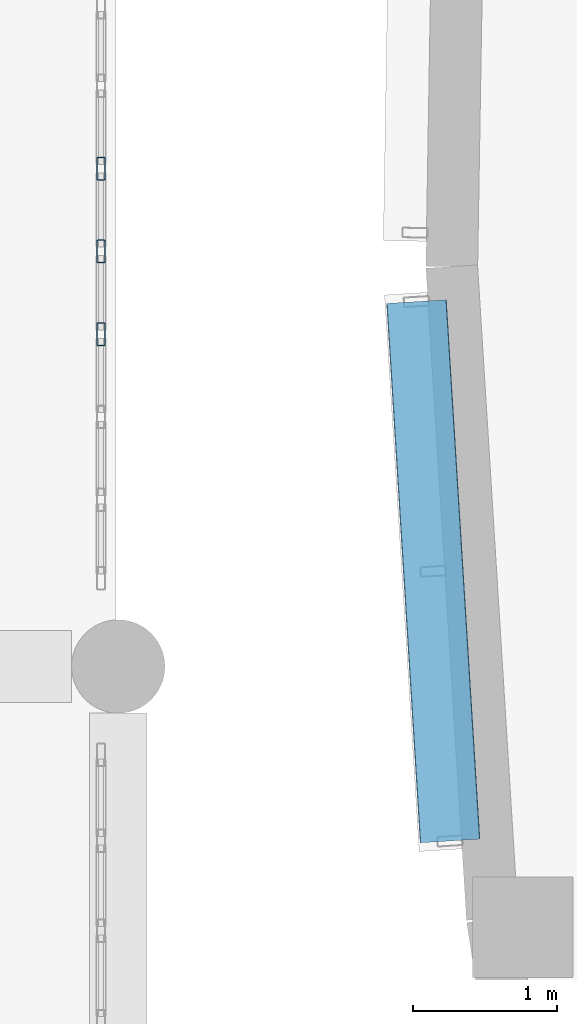
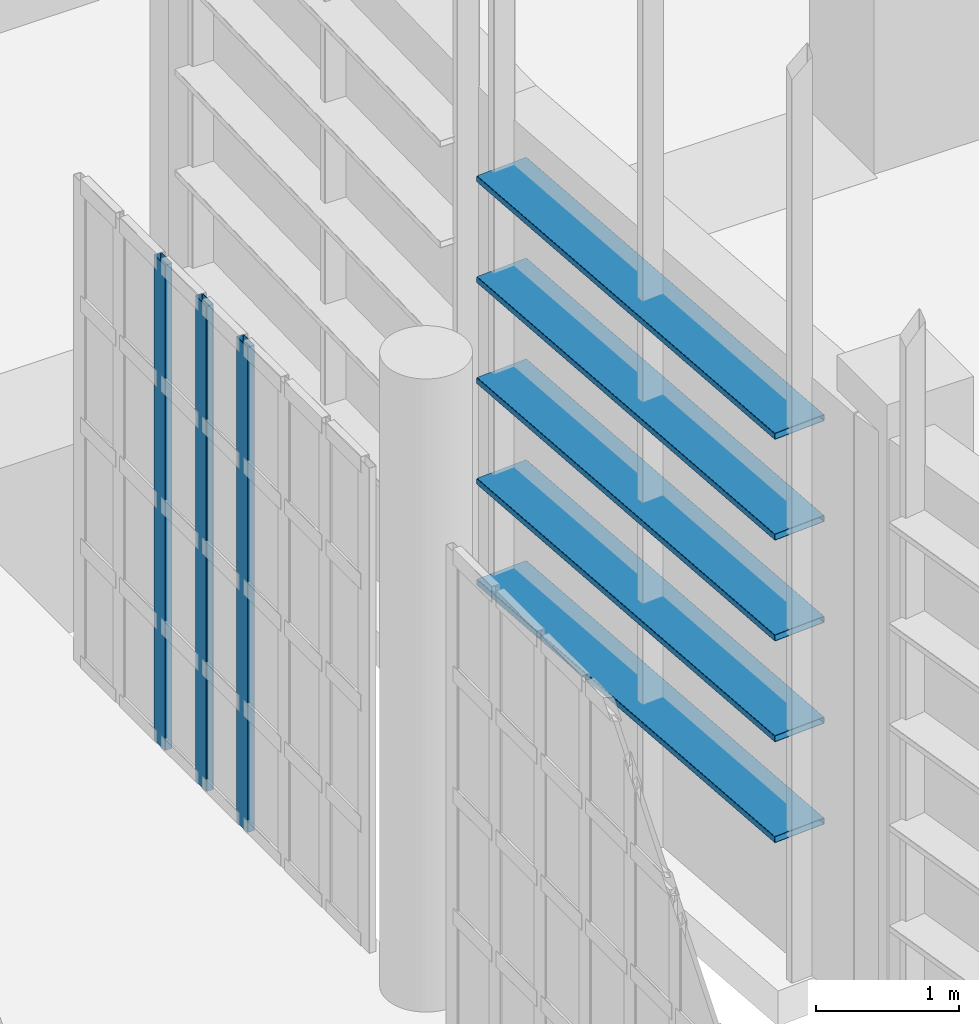
# One storey, part 192 of 372: 8 members, 1 element without a shape of its own.
"""IFC4 building model written with IfcOpenShell, lengths in metres."""

from ifc_helpers import new_model, si_unit, direction, frame, origin, origin_2d, place, context, subcontext, project, spatial, hollow_rectangle, extrude, material, material_profile, profile_set, type_object, element, aggregate, save


model = new_model("IFC4")

# Units and contexts
model_context = context("Model", 3, precision=1e-05, world=origin(), true_north=direction((0.0, 1.0)))
body_context = subcontext(model_context, "Body", "Model", "MODEL_VIEW")
ifc_project = project(units=[si_unit("LENGTHUNIT", "METRE"), si_unit("AREAUNIT", "SQUARE_METRE"), si_unit("VOLUMEUNIT", "CUBIC_METRE"), si_unit("PLANEANGLEUNIT", "RADIAN"), si_unit("MASSUNIT", "GRAM", prefix="KILO")], contexts=[model_context])

# Site, building, storey
site_placement = place(None, origin())
site = spatial("IfcSite", under=ifc_project, at=site_placement, CompositionType="ELEMENT")
building_placement = place(site_placement, origin())
building = spatial("IfcBuilding", under=site, at=building_placement, Name="Kaelora Sail Theatre", CompositionType="ELEMENT")
storey_placement = place(building_placement, origin())
storey = spatial("IfcBuildingStorey", under=building, at=storey_placement, Name="L00", CompositionType="ELEMENT", Elevation=0.0)

# Members
ifc_material_1 = material(Name="Anodised aluminium 6063-T6", Category="aluminium")
ifc_material_profile_1 = material_profile(ifc_material_1, hollow_rectangle(XDim=0.419921875, YDim=0.054931640625, WallThickness=0.00390625, InnerFilletRadius=0.00390625, OuterFilletRadius=0.008056640625, at=origin_2d()), Name="LOUVRE 420x55x4")
ifc_profile_set_1 = profile_set([ifc_material_profile_1], Name="Anodised aluminium 6063-T6")
member_type_1 = type_object("IfcMemberType", Name="ARC-MEM-LVR-420", PredefinedType="USERDEFINED", material=ifc_profile_set_1)
for number, where, z_axis, x_axis, name in (
    (1, (76.7109375, 52.364990234375, 1.25), (-0.062079432588, 0.998071211913, 0.0), (-0.998071211913, -0.062079432588, 0.0), "Studio Theatre Sail Drum horizontal solar louvre C19-01"),
    (2, (76.7109375, 52.364990234375, 2.110107421875), (-0.062079432588, 0.998071211913, 0.0), (-0.998071211913, -0.062079432588, 0.0), "Studio Theatre Sail Drum horizontal solar louvre C19-02"),
    (3, (76.7109375, 52.364990234375, 2.969970703125), (-0.062079432588, 0.998071211913, 0.0), (-0.998071211913, -0.062079432588, 0.0), "Studio Theatre Sail Drum horizontal solar louvre C19-03"),
    (4, (76.7109375, 52.364990234375, 3.830078125), (-0.062079432588, 0.998071211913, 0.0), (-0.998071211913, -0.062079432588, 0.0), "Studio Theatre Sail Drum horizontal solar louvre C19-04"),
    (5, (76.7109375, 52.364990234375, 4.68994140625), (-0.062079432588, 0.998071211913, 0.0), (-0.998071211913, -0.062079432588, 0.0), "Studio Theatre Sail Drum horizontal solar louvre C19-05"),
):
    element("IfcMember", number, at=place(storey_placement, frame(where, z_axis=z_axis, x_axis=x_axis)), inside=storey, type_object=member_type_1, Name=name, ObjectType="LOUVRE", PredefinedType="USERDEFINED", context=body_context, shape_type="SweptSolid", body=[
        extrude(hollow_rectangle(XDim=0.419921875, YDim=0.054931640625, WallThickness=0.00390625, InnerFilletRadius=0.00390625, OuterFilletRadius=0.008056640625, at=origin_2d()), origin(), (0.0, 0.0, 1.0), 3.763671875),
    ])

# Curtain wall, members
ifc_material_2 = material(Name="Anodised aluminium and solar-control low-E IGU", Category="aluminium")
curtain_wall_type = type_object("IfcCurtainWallType", Name="ARC-CW-CW-FOY1", PredefinedType="NOTDEFINED", material=ifc_material_2)
curtain_wall_placement = place(storey_placement, origin())
curtain_wall = element("IfcCurtainWall", 6, at=curtain_wall_placement, inside=storey, type_object=curtain_wall_type, Name="West Interstitial Foyer East Glazed Return L00-04", PredefinedType="NOTDEFINED")
ifc_material_3 = material(Name="Anodised aluminium 6063-T6", Category="aluminium")
ifc_material_profile_2 = material_profile(ifc_material_3, hollow_rectangle(XDim=0.06005859375, YDim=0.159912109375, WallThickness=0.00390625, InnerFilletRadius=0.00390625, OuterFilletRadius=0.008056640625, at=origin_2d()), Name="ALU-MULL 60x160x4")
ifc_profile_set_2 = profile_set([ifc_material_profile_2], Name="Anodised aluminium 6063-T6")
member_type_2 = type_object("IfcMemberType", Name="ARC-MEM-ML-160", PredefinedType="MULLION", material=ifc_profile_set_2)
member_1_placement = place(storey_placement, frame((74.280029296875, 55.894287109375, 0.0), z_axis=(0.0, 0.0, 1.0), x_axis=(-1.0, 0.0, 0.0)))
member_1 = element("IfcMember", 7, at=member_1_placement, type_object=member_type_2, Name="CW-FOY1 mullion 4", PredefinedType="MULLION", context=body_context, shape_type="SweptSolid", body=[
    extrude(hollow_rectangle(XDim=0.06005859375, YDim=0.159912109375, WallThickness=0.00390625, InnerFilletRadius=0.00390625, OuterFilletRadius=0.008056640625, at=origin_2d()), origin(), (0.0, 0.0, 1.0), 4.136962890625),
])
member_2_placement = place(storey_placement, frame((74.280029296875, 56.470703125, 0.0), z_axis=(0.0, 0.0, 1.0), x_axis=(-1.0, 0.0, 0.0)))
member_2 = element("IfcMember", 8, at=member_2_placement, type_object=member_type_2, Name="CW-FOY1 mullion 5", PredefinedType="MULLION", context=body_context, shape_type="SweptSolid", body=[
    extrude(hollow_rectangle(XDim=0.06005859375, YDim=0.159912109375, WallThickness=0.00390625, InnerFilletRadius=0.00390625, OuterFilletRadius=0.008056640625, at=origin_2d()), origin(), (0.0, 0.0, 1.0), 4.136962890625),
])
member_3_placement = place(storey_placement, frame((74.280029296875, 57.047119140625, 0.0), z_axis=(0.0, 0.0, 1.0), x_axis=(-1.0, 0.0, 0.0)))
member_3 = element("IfcMember", 9, at=member_3_placement, type_object=member_type_2, Name="CW-FOY1 mullion 6", PredefinedType="MULLION", context=body_context, shape_type="SweptSolid", body=[
    extrude(hollow_rectangle(XDim=0.06005859375, YDim=0.159912109375, WallThickness=0.00390625, InnerFilletRadius=0.00390625, OuterFilletRadius=0.008056640625, at=origin_2d()), origin(), (0.0, 0.0, 1.0), 4.136962890625),
])
aggregate(curtain_wall, [member_1, member_2, member_3])

save(model, "model.ifc")
